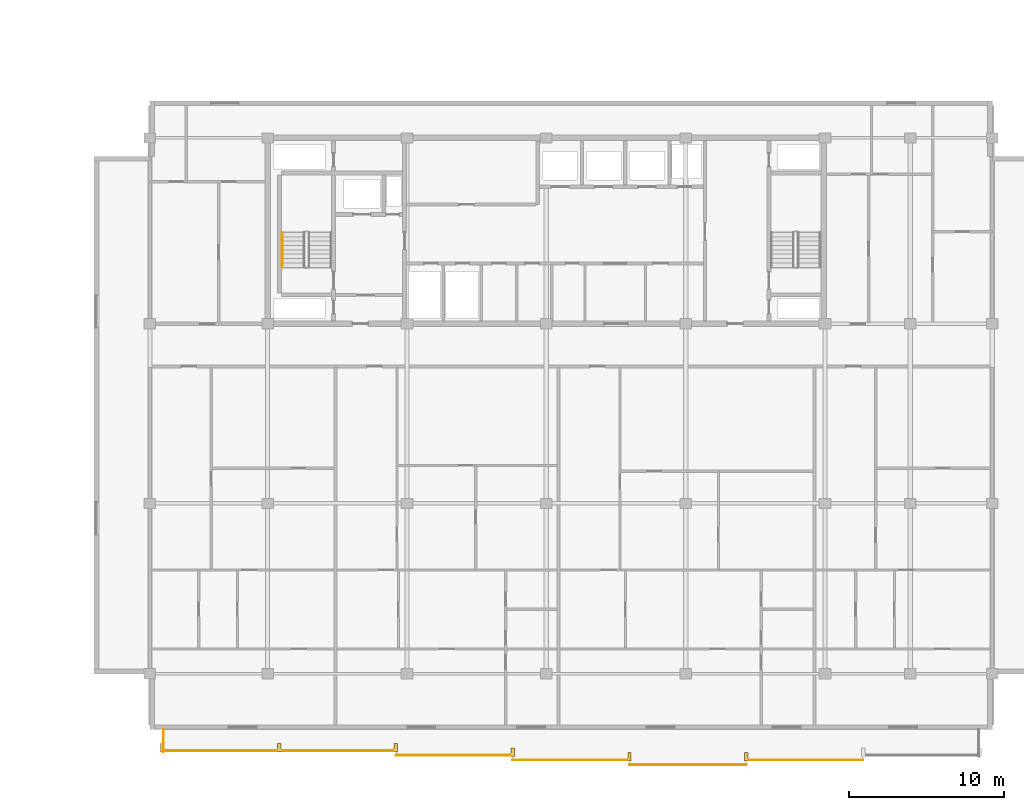
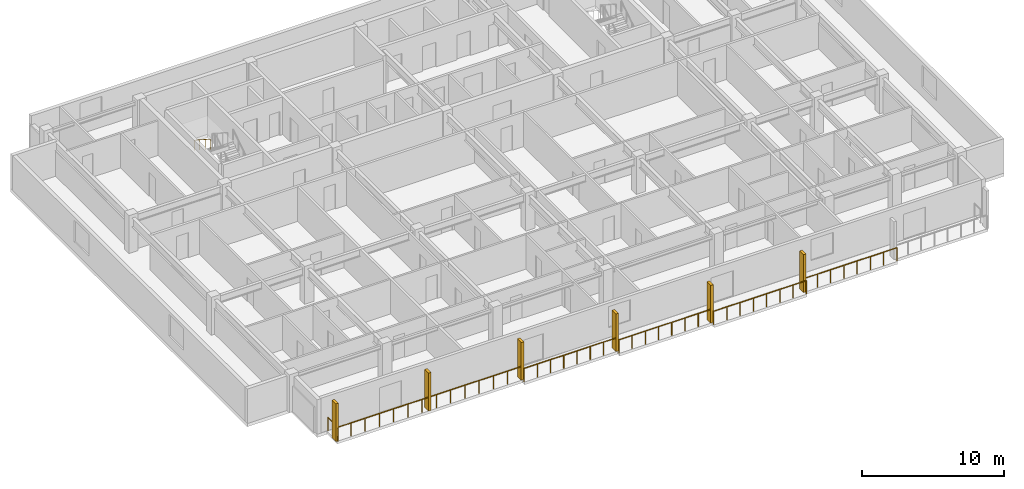
# One storey, part 17 of 21: 7 railings, 6 shading devices.
"""IFC4 building model written with IfcOpenShell, lengths in metres."""

from ifc_helpers import new_model, si_unit, direction, frame, origin, origin_2d, place, context, subcontext, project, spatial, rectangle, circle, extrude, material, type_object, element, save


model = new_model("IFC4")

# Units and contexts
model_context = context("Model", 3, precision=1e-05, world=origin(), true_north=direction((0.0, 1.0)))
body_context = subcontext(model_context, "Body", "Model", "MODEL_VIEW")
ifc_project = project(units=[si_unit("LENGTHUNIT", "METRE"), si_unit("AREAUNIT", "SQUARE_METRE"), si_unit("VOLUMEUNIT", "CUBIC_METRE"), si_unit("PLANEANGLEUNIT", "RADIAN"), si_unit("MASSUNIT", "GRAM", prefix="KILO")], contexts=[model_context])

# Site, building, storey
site_placement = place(None, origin())
site = spatial("IfcSite", under=ifc_project, at=site_placement, CompositionType="ELEMENT")
building_placement = place(site_placement, origin())
building = spatial("IfcBuilding", under=site, at=building_placement, Name="Korimba Cascade Residences", CompositionType="ELEMENT")
storey_placement = place(building_placement, frame((0.0, 0.0, 188.10009765625)))
storey = spatial("IfcBuildingStorey", under=building, at=storey_placement, Name="L54", CompositionType="ELEMENT", Elevation=188.10009765625)

# Railings
ifc_material_1 = material(Name="Laminated Glass and Bronze Balustrade", Category="glass")
railing_type_1 = type_object("IfcRailingType", Name="RLG-LOG-1150", PredefinedType="BALUSTRADE", material=ifc_material_1)
railing_1_placement = place(storey_placement, frame((75.300048828125, -9.169921875, 0.0)))
element("IfcRailing", 1, at=railing_1_placement, inside=storey, type_object=railing_type_1, Name="L54 Perimeter Guardrail RLG-L54-T2-LOG-01", PredefinedType="BALUSTRADE", context=body_context, shape_type="SweptSolid", body=[
    extrude(circle(Radius=0.02392578125, at=origin_2d()), frame((0.0, 0.0, 1.1259765625), z_axis=(1.0, 0.0, 0.0), x_axis=(0.0, 1.0, 0.0)), (0.0, 0.0, 1.0), 15.085693359375),
    extrude(circle(Radius=0.02099609375, at=origin_2d()), origin(), (0.0, 0.0, 1.0), 1.101806640625),
    extrude(circle(Radius=0.02099609375, at=origin_2d()), frame((1.160400390625, 0.0, 0.0)), (0.0, 0.0, 1.0), 1.101806640625),
    extrude(circle(Radius=0.02099609375, at=origin_2d()), frame((2.32080078125, 0.0, 0.0)), (0.0, 0.0, 1.0), 1.101806640625),
    extrude(circle(Radius=0.02099609375, at=origin_2d()), frame((3.481201171875, 0.0, 0.0)), (0.0, 0.0, 1.0), 1.101806640625),
    extrude(circle(Radius=0.02099609375, at=origin_2d()), frame((4.641845703125, 0.0, 0.0)), (0.0, 0.0, 1.0), 1.101806640625),
    extrude(circle(Radius=0.02099609375, at=origin_2d()), frame((5.80224609375, 0.0, 0.0)), (0.0, 0.0, 1.0), 1.101806640625),
    extrude(circle(Radius=0.02099609375, at=origin_2d()), frame((6.962646484375, 0.0, 0.0)), (0.0, 0.0, 1.0), 1.101806640625),
    extrude(circle(Radius=0.02099609375, at=origin_2d()), frame((8.123046875, 0.0, 0.0)), (0.0, 0.0, 1.0), 1.101806640625),
    extrude(circle(Radius=0.02099609375, at=origin_2d()), frame((9.283447265625, 0.0, 0.0)), (0.0, 0.0, 1.0), 1.101806640625),
    extrude(circle(Radius=0.02099609375, at=origin_2d()), frame((10.44384765625, 0.0, 0.0)), (0.0, 0.0, 1.0), 1.101806640625),
    extrude(circle(Radius=0.02099609375, at=origin_2d()), frame((11.6044921875, 0.0, 0.0)), (0.0, 0.0, 1.0), 1.101806640625),
    extrude(circle(Radius=0.02099609375, at=origin_2d()), frame((12.764892578125, 0.0, 0.0)), (0.0, 0.0, 1.0), 1.101806640625),
    extrude(circle(Radius=0.02099609375, at=origin_2d()), frame((13.92529296875, 0.0, 0.0)), (0.0, 0.0, 1.0), 1.101806640625),
    extrude(circle(Radius=0.02099609375, at=origin_2d()), frame((15.085693359375, 0.0, 0.0)), (0.0, 0.0, 1.0), 1.101806640625),
])
railing_2_placement = place(storey_placement, frame((90.3857421875, -9.469970703125, 0.0)))
element("IfcRailing", 2, at=railing_2_placement, inside=storey, type_object=railing_type_1, Name="L54 Perimeter Guardrail RLG-L54-T2-LOG-02", PredefinedType="BALUSTRADE", context=body_context, shape_type="SweptSolid", body=[
    extrude(circle(Radius=0.02392578125, at=origin_2d()), frame((0.0, 0.0, 1.1259765625), z_axis=(1.0, 0.0, 0.0), x_axis=(0.0, 1.0, 0.0)), (0.0, 0.0, 1.0), 7.54296875),
    extrude(circle(Radius=0.02099609375, at=origin_2d()), origin(), (0.0, 0.0, 1.0), 1.101806640625),
    extrude(circle(Radius=0.02099609375, at=origin_2d()), frame((1.07763671875, 0.0, 0.0)), (0.0, 0.0, 1.0), 1.101806640625),
    extrude(circle(Radius=0.02099609375, at=origin_2d()), frame((2.155029296875, 0.0, 0.0)), (0.0, 0.0, 1.0), 1.101806640625),
    extrude(circle(Radius=0.02099609375, at=origin_2d()), frame((3.232666015625, 0.0, 0.0)), (0.0, 0.0, 1.0), 1.101806640625),
    extrude(circle(Radius=0.02099609375, at=origin_2d()), frame((4.310302734375, 0.0, 0.0)), (0.0, 0.0, 1.0), 1.101806640625),
    extrude(circle(Radius=0.02099609375, at=origin_2d()), frame((5.387939453125, 0.0, 0.0)), (0.0, 0.0, 1.0), 1.101806640625),
    extrude(circle(Radius=0.02099609375, at=origin_2d()), frame((6.46533203125, 0.0, 0.0)), (0.0, 0.0, 1.0), 1.101806640625),
    extrude(circle(Radius=0.02099609375, at=origin_2d()), frame((7.54296875, 0.0, 0.0)), (0.0, 0.0, 1.0), 1.101806640625),
])
railing_3_placement = place(storey_placement, frame((97.9287109375, -9.77001953125, 0.0)))
element("IfcRailing", 3, at=railing_3_placement, inside=storey, type_object=railing_type_1, Name="L54 Perimeter Guardrail RLG-L54-T2-LOG-03", PredefinedType="BALUSTRADE", context=body_context, shape_type="SweptSolid", body=[
    extrude(circle(Radius=0.02392578125, at=origin_2d()), frame((0.0, 0.0, 1.1259765625), z_axis=(1.0, 0.0, 0.0), x_axis=(0.0, 1.0, 0.0)), (0.0, 0.0, 1.0), 7.542724609375),
    extrude(circle(Radius=0.02099609375, at=origin_2d()), origin(), (0.0, 0.0, 1.0), 1.101806640625),
    extrude(circle(Radius=0.02099609375, at=origin_2d()), frame((1.07763671875, 0.0, 0.0)), (0.0, 0.0, 1.0), 1.101806640625),
    extrude(circle(Radius=0.02099609375, at=origin_2d()), frame((2.155029296875, 0.0, 0.0)), (0.0, 0.0, 1.0), 1.101806640625),
    extrude(circle(Radius=0.02099609375, at=origin_2d()), frame((3.232666015625, 0.0, 0.0)), (0.0, 0.0, 1.0), 1.101806640625),
    extrude(circle(Radius=0.02099609375, at=origin_2d()), frame((4.31005859375, 0.0, 0.0)), (0.0, 0.0, 1.0), 1.101806640625),
    extrude(circle(Radius=0.02099609375, at=origin_2d()), frame((5.3876953125, 0.0, 0.0)), (0.0, 0.0, 1.0), 1.101806640625),
    extrude(circle(Radius=0.02099609375, at=origin_2d()), frame((6.465087890625, 0.0, 0.0)), (0.0, 0.0, 1.0), 1.101806640625),
    extrude(circle(Radius=0.02099609375, at=origin_2d()), frame((7.542724609375, 0.0, 0.0)), (0.0, 0.0, 1.0), 1.101806640625),
])
railing_4_placement = place(storey_placement, frame((105.471435546875, -10.070068359375, 0.0)))
element("IfcRailing", 4, at=railing_4_placement, inside=storey, type_object=railing_type_1, Name="L54 Perimeter Guardrail RLG-L54-T2-LOG-04", PredefinedType="BALUSTRADE", context=body_context, shape_type="SweptSolid", body=[
    extrude(circle(Radius=0.02392578125, at=origin_2d()), frame((0.0, 0.0, 1.1259765625), z_axis=(1.0, 0.0, 0.0), x_axis=(0.0, 1.0, 0.0)), (0.0, 0.0, 1.0), 7.54296875),
    extrude(circle(Radius=0.02099609375, at=origin_2d()), origin(), (0.0, 0.0, 1.0), 1.101806640625),
    extrude(circle(Radius=0.02099609375, at=origin_2d()), frame((1.07763671875, 0.0, 0.0)), (0.0, 0.0, 1.0), 1.101806640625),
    extrude(circle(Radius=0.02099609375, at=origin_2d()), frame((2.155029296875, 0.0, 0.0)), (0.0, 0.0, 1.0), 1.101806640625),
    extrude(circle(Radius=0.02099609375, at=origin_2d()), frame((3.232666015625, 0.0, 0.0)), (0.0, 0.0, 1.0), 1.101806640625),
    extrude(circle(Radius=0.02099609375, at=origin_2d()), frame((4.310302734375, 0.0, 0.0)), (0.0, 0.0, 1.0), 1.101806640625),
    extrude(circle(Radius=0.02099609375, at=origin_2d()), frame((5.387939453125, 0.0, 0.0)), (0.0, 0.0, 1.0), 1.101806640625),
    extrude(circle(Radius=0.02099609375, at=origin_2d()), frame((6.46533203125, 0.0, 0.0)), (0.0, 0.0, 1.0), 1.101806640625),
    extrude(circle(Radius=0.02099609375, at=origin_2d()), frame((7.54296875, 0.0, 0.0)), (0.0, 0.0, 1.0), 1.101806640625),
])
railing_5_placement = place(storey_placement, frame((113.014404296875, -9.77001953125, 0.0)))
element("IfcRailing", 5, at=railing_5_placement, inside=storey, type_object=railing_type_1, Name="L54 Perimeter Guardrail RLG-L54-T2-LOG-05", PredefinedType="BALUSTRADE", context=body_context, shape_type="SweptSolid", body=[
    extrude(circle(Radius=0.02392578125, at=origin_2d()), frame((0.0, 0.0, 1.1259765625), z_axis=(1.0, 0.0, 0.0), x_axis=(0.0, 1.0, 0.0)), (0.0, 0.0, 1.0), 7.542724609375),
    extrude(circle(Radius=0.02099609375, at=origin_2d()), origin(), (0.0, 0.0, 1.0), 1.101806640625),
    extrude(circle(Radius=0.02099609375, at=origin_2d()), frame((1.07763671875, 0.0, 0.0)), (0.0, 0.0, 1.0), 1.101806640625),
    extrude(circle(Radius=0.02099609375, at=origin_2d()), frame((2.155029296875, 0.0, 0.0)), (0.0, 0.0, 1.0), 1.101806640625),
    extrude(circle(Radius=0.02099609375, at=origin_2d()), frame((3.232666015625, 0.0, 0.0)), (0.0, 0.0, 1.0), 1.101806640625),
    extrude(circle(Radius=0.02099609375, at=origin_2d()), frame((4.31005859375, 0.0, 0.0)), (0.0, 0.0, 1.0), 1.101806640625),
    extrude(circle(Radius=0.02099609375, at=origin_2d()), frame((5.3876953125, 0.0, 0.0)), (0.0, 0.0, 1.0), 1.101806640625),
    extrude(circle(Radius=0.02099609375, at=origin_2d()), frame((6.465087890625, 0.0, 0.0)), (0.0, 0.0, 1.0), 1.101806640625),
    extrude(circle(Radius=0.02099609375, at=origin_2d()), frame((7.542724609375, 0.0, 0.0)), (0.0, 0.0, 1.0), 1.101806640625),
])
railing_6_placement = place(storey_placement, frame((75.3798828125, -7.800048828125, 0.0)))
element("IfcRailing", 6, at=railing_6_placement, inside=storey, type_object=railing_type_1, Name="L54 Perimeter Guardrail RLG-L54-T2-LOG-08", PredefinedType="BALUSTRADE", context=body_context, shape_type="SweptSolid", body=[
    extrude(circle(Radius=0.02392578125, at=origin_2d()), frame((0.0, 0.0, 1.1259765625), z_axis=(0.0, -1.0, 0.0), x_axis=(1.0, 0.0, 0.0)), (0.0, 0.0, 1.0), 1.449951171875),
    extrude(circle(Radius=0.02099609375, at=origin_2d()), origin(), (0.0, 0.0, 1.0), 1.101806640625),
    extrude(circle(Radius=0.02099609375, at=origin_2d()), frame((0.0, -0.72509765625, 0.0)), (0.0, 0.0, 1.0), 1.101806640625),
    extrude(circle(Radius=0.02099609375, at=origin_2d()), frame((0.0, -1.449951171875, 0.0)), (0.0, 0.0, 1.0), 1.101806640625),
])
ifc_material_2 = material(Name="Brushed Stainless Steel Handrail", Category="steel")
railing_type_2 = type_object("IfcRailingType", Name="RLG-ST-HR900", PredefinedType="HANDRAIL", material=ifc_material_2)
railing_7_placement = place(storey_placement, frame((83.050048828125, 24.2900390625, 1.98974609375)))
element("IfcRailing", 7, at=railing_7_placement, inside=storey, type_object=railing_type_2, Name="L54 ST-E1 stair handrail 2", PredefinedType="HANDRAIL", context=body_context, shape_type="SweptSolid", body=[
    extrude(circle(Radius=0.02392578125, at=origin_2d()), frame((0.0, 0.0, 0.8759765625), z_axis=(0.0, -0.840394893359, 0.541974559565), x_axis=(1.0, 0.0, 0.0)), (0.0, 0.0, 1.0), 2.665283203125),
    extrude(circle(Radius=0.02099609375, at=origin_2d()), origin(), (0.0, 0.0, 1.0), 0.851806640625),
    extrude(circle(Radius=0.02099609375, at=origin_2d()), frame((0.0, -0.74658203125, 0.4814453125)), (0.0, 0.0, 1.0), 0.851806640625),
    extrude(circle(Radius=0.02099609375, at=origin_2d()), frame((0.0, -1.493408203125, 0.963134765625)), (0.0, 0.0, 1.0), 0.851806640625),
    extrude(circle(Radius=0.02099609375, at=origin_2d()), frame((0.0, -2.239990234375, 1.444580078125)), (0.0, 0.0, 1.0), 0.851806640625),
])

# Shading devices
ifc_material_3 = material(Name="Honed Sandstone Precast Fin", Category="masonry")
shading_device_type = type_object("IfcShadingDeviceType", Name="SHD-FIN-550", PredefinedType="USERDEFINED", material=ifc_material_3)
for number, where, z_axis, x_axis, name in (
    (8, (75.300048828125, -8.97509765625, 0.0), (0.0, 0.0, 1.0), (1.0, 0.0, 0.0), "L54 T2 Warm-Stone Loggia Fin 1"),
    (9, (82.843017578125, -8.97509765625, 0.0), (0.0, 0.0, 1.0), (1.0, 0.0, 0.0), "L54 T2 Warm-Stone Loggia Fin 2"),
    (10, (90.3857421875, -8.97509765625, 0.0), (0.0, 0.0, 1.0), (1.0, 0.0, 0.0), "L54 T2 Warm-Stone Loggia Fin 3"),
    (11, (97.9287109375, -9.27490234375, 0.0), (0.0, 0.0, 1.0), (1.0, 0.0, 0.0), "L54 T2 Warm-Stone Loggia Fin 4"),
    (12, (105.471435546875, -9.574951171875, 0.0), (0.0, 0.0, 1.0), (1.0, 0.0, 0.0), "L54 T2 Warm-Stone Loggia Fin 5"),
    (13, (113.014404296875, -9.574951171875, 0.0), (0.0, 0.0, 1.0), (1.0, 0.0, 0.0), "L54 T2 Warm-Stone Loggia Fin 6"),
):
    element("IfcShadingDevice", number, at=place(storey_placement, frame(where, z_axis=z_axis, x_axis=x_axis)), inside=storey, type_object=shading_device_type, Name=name, ObjectType="FIN", PredefinedType="USERDEFINED", context=body_context, shape_type="SweptSolid", body=[
        extrude(rectangle(XDim=0.219970703125, YDim=0.550048828125, at=origin_2d()), origin(), (0.0, 0.0, 1.0), 3.25),
    ])

save(model, "model.ifc")
